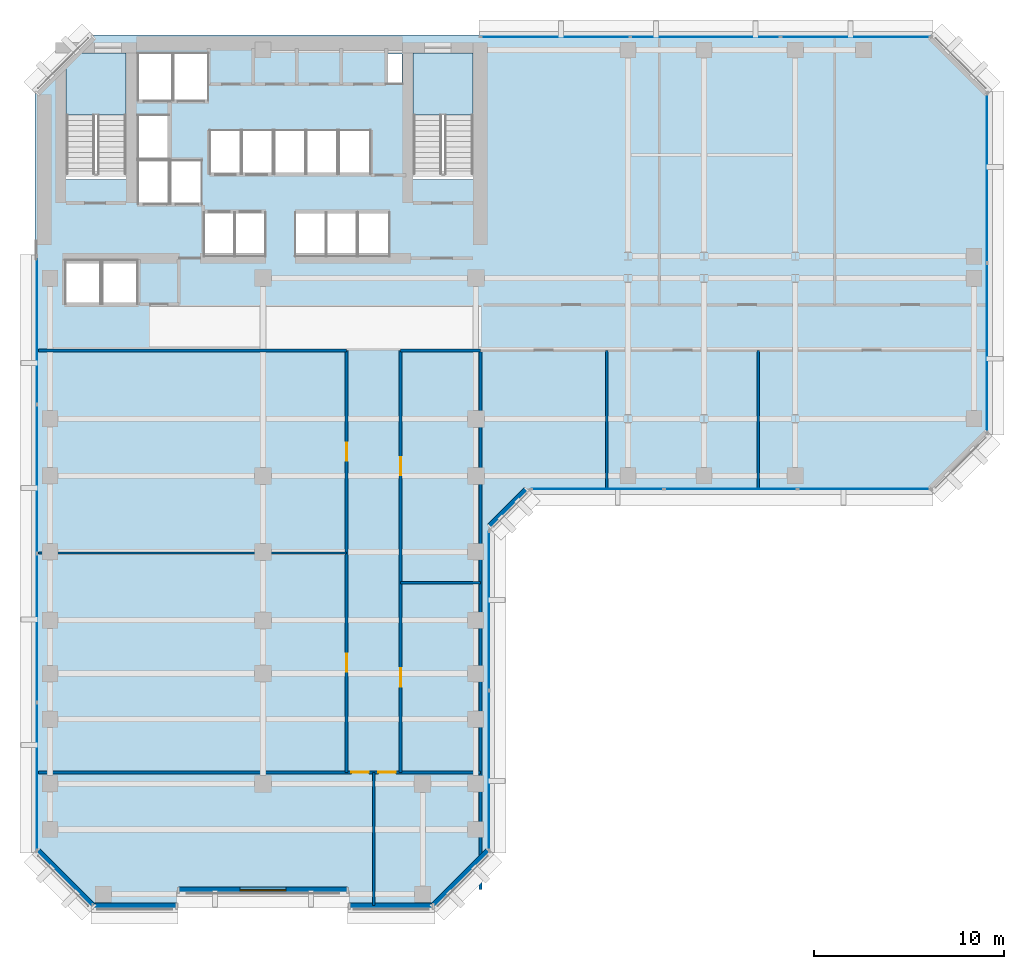
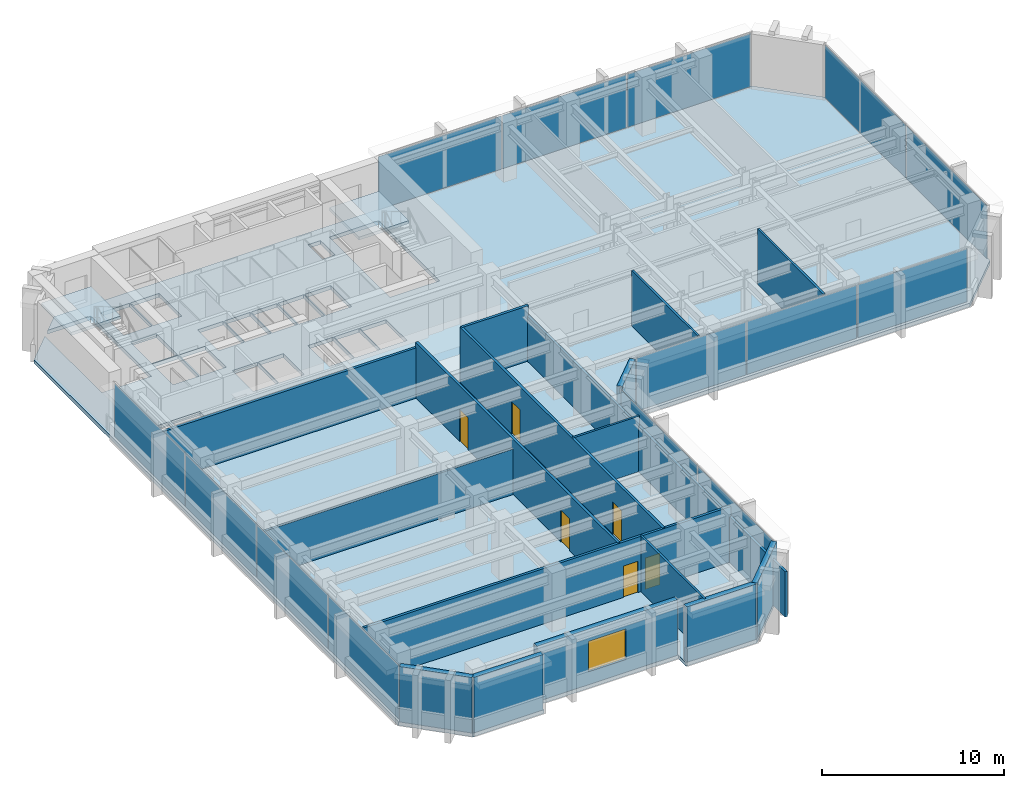
# One storey, part 6 of 12: 17 walls, 14 plates, 6 doors, 3 slabs, 1 window, 7 openings, 7 elements without a shape of their own.
"""IFC4 building model written with IfcOpenShell, lengths in metres."""

import ifcopenshell
import ifcopenshell.guid

model = None  # the IFC model being written
_history = None  # IfcOwnerHistory: only IFC2X3 demands one
_inside = {}  # id of a spatial element -> (the spatial element, [elements in it])
_under = {}  # id of a project, library or spatial element -> (it, [spatial elements below it])
_declared = {}  # id of a project -> (the project, [libraries it declares])
_typed = {}  # id of a type object -> (the type object, [elements of that type])
_made_of = {}  # id of a material, layer set ... -> (it, [elements and type objects made of it])


def new_model(schema):
    """Start an empty IFC model of exactly this schema.

    Asked for "IFC4X3", IfcOpenShell would pick the latest addendum, in which some entities
    have other attributes; the version numbers below select the first issue.
    IFC2X3 requires an IfcOwnerHistory on every rooted entity: one is made here for all.
    """
    global model, _history
    if schema == "IFC4X3":
        model = ifcopenshell.file(schema_version=(4, 3, 0, 0))
    else:
        model = ifcopenshell.file(schema=schema)
    _inside.clear()
    _under.clear()
    _declared.clear()
    _typed.clear()
    _made_of.clear()
    _history = None
    if model.schema == "IFC2X3":
        org = make("IfcOrganization", Name="unknown")
        user = make(
            "IfcPersonAndOrganization",
            ThePerson=make("IfcPerson", FamilyName="unknown"),
            TheOrganization=org,
        )
        app = make(
            "IfcApplication",
            ApplicationDeveloper=org,
            Version="unknown",
            ApplicationFullName="unknown",
            ApplicationIdentifier="unknown",
        )
        _history = make(
            "IfcOwnerHistory",
            OwningUser=user,
            OwningApplication=app,
            ChangeAction="ADDED",
            CreationDate=0,
        )
    return model


def make(cls, **values):
    """One entity of the class cls with the attributes given. An attribute that is None is left unset."""
    return model.create_entity(
        cls, **{name: value for name, value in values.items() if value is not None}
    )


def rooted(cls, **values):
    """An entity with a GlobalId (a new one), such as an element, a storey or a relation."""
    return make(cls, GlobalId=ifcopenshell.guid.new(), OwnerHistory=_history, **values)


def si_unit(unit_type, name, prefix=None):
    """IfcSIUnit, for example si_unit("LENGTHUNIT", "METRE", prefix="MILLI")."""
    return make("IfcSIUnit", UnitType=unit_type, Prefix=prefix, Name=name)


def assignment(units):
    """IfcUnitAssignment: the units of a project."""
    return None if units is None else make("IfcUnitAssignment", Units=units)


def point(xyz):
    """IfcCartesianPoint."""
    return None if xyz is None else make("IfcCartesianPoint", Coordinates=xyz)


def direction(xyz):
    """IfcDirection."""
    return None if xyz is None else make("IfcDirection", DirectionRatios=xyz)


def frame(location, z_axis=None, x_axis=None):
    """IfcAxis2Placement3D, a coordinate frame: its origin and axes. An axis left out is left unset."""
    return make(
        "IfcAxis2Placement3D",
        Location=point(location),
        Axis=direction(z_axis),
        RefDirection=direction(x_axis),
    )


def frame_2d(location, x_axis=None):
    """IfcAxis2Placement2D, a coordinate frame in the plane: its origin and x axis."""
    return make(
        "IfcAxis2Placement2D", Location=point(location), RefDirection=direction(x_axis)
    )


def origin():
    """The frame at (0, 0, 0) with its axes left unset."""
    return frame((0.0, 0.0, 0.0))


def origin_2d():
    """The frame at (0, 0) in the plane with its x axis left unset."""
    return frame_2d((0.0, 0.0))


def place(relative_to, where):
    """IfcLocalPlacement: puts the frame where relative to a parent placement (None: the world)."""
    return make(
        "IfcLocalPlacement", PlacementRelTo=relative_to, RelativePlacement=where
    )


def context(
    kind, dimensions, precision=None, world=None, true_north=None, identifier=None
):
    """IfcGeometricRepresentationContext, for example the 3D "Model" context."""
    return make(
        "IfcGeometricRepresentationContext",
        ContextIdentifier=identifier,
        ContextType=kind,
        CoordinateSpaceDimension=dimensions,
        Precision=precision,
        WorldCoordinateSystem=world,
        TrueNorth=true_north,
    )


def subcontext(parent, identifier, kind, view, scale=None):
    """IfcGeometricRepresentationSubContext, for example "Body" below "Model"."""
    return make(
        "IfcGeometricRepresentationSubContext",
        ContextIdentifier=identifier,
        ContextType=kind,
        ParentContext=parent,
        TargetScale=scale,
        TargetView=view,
    )


def project(units=None, contexts=None):
    """IfcProject with its units and contexts."""
    return rooted(
        "IfcProject",
        Name="project",
        RepresentationContexts=contexts,
        UnitsInContext=assignment(units),
    )


def spatial(cls, under=None, at=None, **own):
    """A site, building, storey or space (cls), placed at a placement, below another one or the project."""
    s = rooted(cls, ObjectPlacement=at, **own)
    if under is not None:
        _under.setdefault(under.id(), (under, []))[1].append(s)
    return s


def polyline(points):
    """IfcPolyline through the points."""
    return make("IfcPolyline", Points=[point(p) for p in points])


def profile(cls, at=None, kind="AREA", **sizes):
    """A parametric profile (cls). Its sizes go by their IFC names, for example OverallWidth=200.0."""
    return make(cls, ProfileType=kind, Position=at, **sizes)


def rectangle(**sizes):
    """IfcRectangleProfileDef."""
    return profile("IfcRectangleProfileDef", **sizes)


def outline(outer, holes=None, kind="AREA"):
    """IfcArbitraryClosedProfileDef: a profile drawn as a closed curve; with holes, ...WithVoids."""
    if holes is None:
        return make("IfcArbitraryClosedProfileDef", ProfileType=kind, OuterCurve=outer)
    return make(
        "IfcArbitraryProfileDefWithVoids",
        ProfileType=kind,
        OuterCurve=outer,
        InnerCurves=holes,
    )


def extrude(swept, where, along, depth):
    """IfcExtrudedAreaSolid: the profile swept, set in the frame where, extruded along a direction by depth."""
    return make(
        "IfcExtrudedAreaSolid",
        SweptArea=swept,
        Position=where,
        ExtrudedDirection=direction(along),
        Depth=depth,
    )


def shape(context_of_items, identifier, shape_type, items):
    """IfcShapeRepresentation: the items that make up one representation, for example the "Body"."""
    return make(
        "IfcShapeRepresentation",
        ContextOfItems=context_of_items,
        RepresentationIdentifier=identifier,
        RepresentationType=shape_type,
        Items=items,
    )


def material(Name=None, Category=None):
    """IfcMaterial."""
    return make("IfcMaterial", Name=Name, Category=Category)


def layer(
    of_material, thickness, ventilated=None, Name=None, Category=None, Priority=None
):
    """IfcMaterialLayer: one layer of a wall or slab, of a material (None: an air gap)."""
    return make(
        "IfcMaterialLayer",
        Material=of_material,
        LayerThickness=thickness,
        IsVentilated=ventilated,
        Name=Name,
        Category=Category,
        Priority=Priority,
    )


def layer_set(layers, Name=None):
    """IfcMaterialLayerSet."""
    return make("IfcMaterialLayerSet", MaterialLayers=layers, LayerSetName=Name)


def made_of(thing, what):
    """Note that an element or type object is made of a material, layer set ...; save() writes the relation."""
    if what is not None:
        _made_of.setdefault(what.id(), (what, []))[1].append(thing)
    return thing


def type_object(cls, material=None, **own):
    """A type object (cls), such as IfcWallType, which elements share."""
    return made_of(rooted(cls, **own), material)


def element(
    cls,
    number,
    at=None,
    inside=None,
    cuts=None,
    type_object=None,
    material=None,
    context=None,
    identifier="Body",
    shape_type=None,
    held_by="IfcProductDefinitionShape",
    body=None,
    shapes=None,
    **own,
):
    """One element of the class cls, such as IfcWall. Its Tag is "e" and its number.

    at: its placement. inside: the storey or other place that contains it. cuts: it is an
    opening in that element (IfcRelVoidsElement). A single representation is given by context,
    identifier, shape_type and body (its items); several are given by shapes. held_by: the class
    of the entity that holds the representations. save() writes the other relations.
    """
    e = rooted(cls, Tag="e%d" % number, ObjectPlacement=at, **own)
    if body is not None:
        shapes = [shape(context, identifier, shape_type, body)]
    if shapes is not None:
        e.Representation = make(held_by, Representations=shapes)
    if inside is not None:
        _inside.setdefault(inside.id(), (inside, []))[1].append(e)
    if cuts is not None:
        rooted(
            "IfcRelVoidsElement", RelatingBuildingElement=cuts, RelatedOpeningElement=e
        )
    if type_object is not None:
        _typed.setdefault(type_object.id(), (type_object, []))[1].append(e)
    return made_of(e, material)


def fill(opening, filler):
    """IfcRelFillsElement: the door or window that sits in an opening."""
    return rooted(
        "IfcRelFillsElement",
        RelatingOpeningElement=opening,
        RelatedBuildingElement=filler,
    )


def aggregate(whole, parts):
    """IfcRelAggregates: a whole, such as a stair, and the parts it consists of."""
    return rooted("IfcRelAggregates", RelatingObject=whole, RelatedObjects=parts)


def save(model, path):
    """Write the relations noted so far, then the file.

    IfcRelAggregates (storeys below a building ...), IfcRelContainedInSpatialStructure (elements
    in a storey), IfcRelDefinesByType, IfcRelAssociatesMaterial and IfcRelDeclares: one each for
    every whole, place, type object, material and project.
    """
    for whole, parts in _under.values():
        aggregate(whole, parts)
    for where, things in _inside.values():
        rooted(
            "IfcRelContainedInSpatialStructure",
            RelatedElements=things,
            RelatingStructure=where,
        )
    for kind, things in _typed.values():
        rooted("IfcRelDefinesByType", RelatedObjects=things, RelatingType=kind)
    for what, things in _made_of.values():
        rooted("IfcRelAssociatesMaterial", RelatedObjects=things, RelatingMaterial=what)
    for by, libraries in _declared.values():
        rooted("IfcRelDeclares", RelatingContext=by, RelatedDefinitions=libraries)
    model.write(path)


model = new_model("IFC4")

# Units and contexts
model_context = context("Model", 3, precision=1e-05, world=origin(), true_north=direction((0.0, 1.0)))
body_context = subcontext(model_context, "Body", "Model", "MODEL_VIEW")
ifc_project = project(units=[si_unit("LENGTHUNIT", "METRE"), si_unit("AREAUNIT", "SQUARE_METRE"), si_unit("VOLUMEUNIT", "CUBIC_METRE"), si_unit("PLANEANGLEUNIT", "RADIAN"), si_unit("MASSUNIT", "GRAM", prefix="KILO")], contexts=[model_context])

# Site, building, storey
site_placement = place(None, origin())
site = spatial("IfcSite", under=ifc_project, at=site_placement, CompositionType="ELEMENT")
building_placement = place(site_placement, origin())
building = spatial("IfcBuilding", under=site, at=building_placement, Name="Kefirva Bronze Tower", CompositionType="ELEMENT")
storey_placement = place(building_placement, frame((0.0, 0.0, 118.469970703125)))
storey = spatial("IfcBuildingStorey", under=building, at=storey_placement, Name="L28", CompositionType="ELEMENT", Elevation=118.469970703125)

# Stair, slab
ifc_material_1 = material(Name="Concrete C40/50", Category="concrete")
stair_type = type_object("IfcStairType", Name="RC Dogleg Protected Stair 24R", PredefinedType="HALF_TURN_STAIR", material=ifc_material_1)
stair_1_placement = place(storey_placement, origin())
stair_1 = element("IfcStair", 1, at=stair_1_placement, inside=storey, type_object=stair_type, Name="L28 Protected Exit Stair 1", PredefinedType="HALF_TURN_STAIR")
ifc_layer_1 = layer(ifc_material_1, 0.199951171875, Name="Concrete C40/50")
ifc_layer_set_1 = layer_set([ifc_layer_1], Name="Concrete C40/50")
slab_type_1 = type_object("IfcSlabType", Name="RC Stair Landing Slab 200mm", PredefinedType="LANDING", material=ifc_layer_set_1)
slab_1_placement = place(storey_placement, frame((0.0, 0.0, 1.780029296875)))
slab_1 = element("IfcSlab", 2, at=slab_1_placement, type_object=slab_type_1, Name="ST-1 landing 1", PredefinedType="LANDING", context=body_context, shape_type="SweptSolid", body=[
    extrude(outline(polyline([(4.800048828125, 41.780029296875), (4.800048828125, 45.050048828125), (1.64990234375, 45.050048828125), (1.64990234375, 41.780029296875), (4.800048828125, 41.780029296875)])), origin(), (0.0, 0.0, 1.0), 0.199951171875),
])
aggregate(stair_1, [slab_1])

stair_2_placement = place(storey_placement, origin())
stair_2 = element("IfcStair", 3, at=stair_2_placement, inside=storey, type_object=stair_type, Name="L28 Protected Exit Stair 2", PredefinedType="HALF_TURN_STAIR")
slab_2_placement = place(storey_placement, frame((0.0, 0.0, 1.780029296875)))
slab_2 = element("IfcSlab", 4, at=slab_2_placement, type_object=slab_type_1, Name="ST-2 landing 1", PredefinedType="LANDING", context=body_context, shape_type="SweptSolid", body=[
    extrude(outline(polyline([(23.050048828125, 41.780029296875), (23.050048828125, 45.050048828125), (19.89990234375, 45.050048828125), (19.89990234375, 41.780029296875), (23.050048828125, 41.780029296875)])), origin(), (0.0, 0.0, 1.0), 0.199951171875),
])
aggregate(stair_2, [slab_2])

# Slab
ifc_layer_2 = layer(ifc_material_1, 0.25, Name="Concrete C40/50")
ifc_layer_set_2 = layer_set([ifc_layer_2], Name="Concrete C40/50")
slab_type_2 = type_object("IfcSlabType", Name="RC Tower Floor Slab 250mm", PredefinedType="FLOOR", material=ifc_layer_set_2)
slab_3_placement = place(storey_placement, frame((0.0, 0.0, -0.25)))
element("IfcSlab", 5, at=slab_3_placement, inside=storey, type_object=slab_type_2, Name="L28 Structural Floor Slab", PredefinedType="FLOOR", context=body_context, shape_type="SweptSolid", body=[
    extrude(outline(polyline([(0.0, 3.0), (0.0, 43.0), (1.64990234375, 44.64990234375), (1.64990234375, 38.39990234375), (4.800048828125, 38.39990234375), (4.800048828125, 45.050048828125), (2.050048828125, 45.050048828125), (3.0, 46.0), (47.199951171875, 46.0), (50.199951171875, 43.0), (50.199951171875, 25.0), (47.199951171875, 22.0), (26.0, 22.0), (24.0, 20.0), (24.0, 3.0), (21.0, 0.0), (16.5, 0.0), (16.5, 0.85009765625), (7.5, 0.85009765625), (7.5, 0.0), (3.0, 0.0), (0.0, 3.0)]), holes=[polyline([(19.89990234375, 38.39990234375), (23.050048828125, 38.39990234375), (23.050048828125, 45.050048828125), (19.89990234375, 45.050048828125), (19.89990234375, 38.39990234375)]), polyline([(18.52001953125, 43.419921875), (19.320068359375, 43.419921875), (19.320068359375, 45.0), (18.52001953125, 45.0), (18.52001953125, 43.419921875)]), polyline([(17.0, 34.35009765625), (18.64990234375, 34.35009765625), (18.64990234375, 36.64990234375), (17.0, 36.64990234375), (17.0, 34.35009765625)]), polyline([(17.64990234375, 38.679931640625), (17.64990234375, 40.97998046875), (16.0, 40.97998046875), (16.0, 38.679931640625), (17.64990234375, 38.679931640625)]), polyline([(16.949951171875, 34.35009765625), (16.949951171875, 36.64990234375), (15.35009765625, 36.64990234375), (15.35009765625, 34.35009765625), (16.949951171875, 34.35009765625)]), polyline([(15.929931640625, 38.679931640625), (15.929931640625, 40.97998046875), (14.300048828125, 40.97998046875), (14.300048828125, 38.679931640625), (15.929931640625, 38.679931640625)]), polyline([(15.300048828125, 34.35009765625), (15.300048828125, 36.64990234375), (13.699951171875, 36.64990234375), (13.699951171875, 34.35009765625), (15.300048828125, 34.35009765625)]), polyline([(14.22998046875, 38.679931640625), (14.22998046875, 40.97998046875), (12.60009765625, 40.97998046875), (12.60009765625, 38.679931640625), (14.22998046875, 38.679931640625)]), polyline([(10.89990234375, 38.679931640625), (12.530029296875, 38.679931640625), (12.530029296875, 40.97998046875), (10.89990234375, 40.97998046875), (10.89990234375, 38.679931640625)]), polyline([(12.139892578125, 34.35009765625), (12.139892578125, 36.64990234375), (10.5400390625, 36.64990234375), (10.5400390625, 34.35009765625), (12.139892578125, 34.35009765625)]), polyline([(10.830078125, 38.679931640625), (10.830078125, 40.97998046875), (9.199951171875, 40.97998046875), (9.199951171875, 38.679931640625), (10.830078125, 38.679931640625)]), polyline([(10.5, 34.35009765625), (10.5, 36.64990234375), (8.89990234375, 36.64990234375), (8.89990234375, 34.35009765625), (10.5, 34.35009765625)]), polyline([(7.300048828125, 42.550048828125), (9.1201171875, 42.550048828125), (9.1201171875, 45.050048828125), (7.300048828125, 45.050048828125), (7.300048828125, 42.550048828125)]), polyline([(7.139892578125, 37.10009765625), (8.780029296875, 37.10009765625), (8.780029296875, 39.39990234375), (7.139892578125, 39.39990234375), (7.139892578125, 37.10009765625)]), polyline([(5.419921875, 42.550048828125), (7.239990234375, 42.550048828125), (7.239990234375, 45.050048828125), (5.419921875, 45.050048828125), (5.419921875, 42.550048828125)]), polyline([(7.06005859375, 39.47998046875), (7.06005859375, 41.780029296875), (5.419921875, 41.780029296875), (5.419921875, 39.47998046875), (7.06005859375, 39.47998046875)]), polyline([(5.419921875, 37.10009765625), (7.06005859375, 37.10009765625), (7.06005859375, 39.39990234375), (5.419921875, 39.39990234375), (5.419921875, 37.10009765625)]), polyline([(5.39990234375, 31.85009765625), (5.39990234375, 34.14990234375), (3.550048828125, 34.14990234375), (3.550048828125, 31.85009765625), (5.39990234375, 31.85009765625)]), polyline([(3.449951171875, 31.85009765625), (3.449951171875, 34.14990234375), (1.60009765625, 34.14990234375), (1.60009765625, 31.85009765625), (3.449951171875, 31.85009765625)])]), origin(), (0.0, 0.0, 1.0), 0.25),
])

# Curtain wall, plates
ifc_material_2 = material(Name="Bronze anodised aluminium", Category="aluminium")
ifc_layer_3 = layer(ifc_material_2, 0.199951171875, Name="Bronze anodised aluminium")
ifc_layer_set_3 = layer_set([ifc_layer_3], Name="Bronze anodised aluminium")
curtain_wall_type = type_object("IfcCurtainWallType", Name="Unitised Bronze Ribbon Curtain Wall Zone 2", PredefinedType="USERDEFINED", material=ifc_layer_set_3)
curtain_wall_1_placement = place(storey_placement, origin())
curtain_wall_1 = element("IfcCurtainWall", 6, at=curtain_wall_1_placement, inside=storey, type_object=curtain_wall_type, Name="L28 Curtain Wall 1", ObjectType="UNITISED CURTAIN WALL", PredefinedType="USERDEFINED")
ifc_material_3 = material(Name="Laminated low-E double glazing", Category="glass")
ifc_layer_4 = layer(ifc_material_3, 0.031982421875, Name="Laminated low-E double glazing")
ifc_layer_set_4 = layer_set([ifc_layer_4], Name="Laminated low-E double glazing")
plate_type = type_object("IfcPlateType", Name="Solar-Control Low-E Vision Panel 32mm", PredefinedType="CURTAIN_PANEL", material=ifc_layer_set_4)
plate_1_placement = place(storey_placement, frame((23.8798828125, 7.296142578125, 0.074951171875), z_axis=(0.0, 0.0, 1.0), x_axis=(0.0, 1.0, 0.0)))
plate_1 = element("IfcPlate", 7, at=plate_1_placement, type_object=plate_type, Name="CW-02 panel 1.1", PredefinedType="CURTAIN_PANEL", context=body_context, shape_type="SweptSolid", body=[
    extrude(rectangle(XDim=8.33251953125, YDim=0.031982421875, at=origin_2d()), origin(), (0.0, 0.0, 1.0), 3.56005859375),
])
plate_2_placement = place(storey_placement, frame((23.8798828125, 15.703857421875, 0.074951171875), z_axis=(0.0, 0.0, 1.0), x_axis=(0.0, 1.0, 0.0)))
plate_2 = element("IfcPlate", 8, at=plate_2_placement, type_object=plate_type, Name="CW-02 panel 2.1", PredefinedType="CURTAIN_PANEL", context=body_context, shape_type="SweptSolid", body=[
    extrude(rectangle(XDim=8.33251953125, YDim=0.031982421875, at=origin_2d()), origin(), (0.0, 0.0, 1.0), 3.56005859375),
])
aggregate(curtain_wall_1, [plate_1, plate_2])

curtain_wall_2_placement = place(storey_placement, origin())
curtain_wall_2 = element("IfcCurtainWall", 9, at=curtain_wall_2_placement, inside=storey, type_object=curtain_wall_type, Name="L28 Curtain Wall 2", ObjectType="UNITISED CURTAIN WALL", PredefinedType="USERDEFINED")
plate_3_placement = place(storey_placement, frame((29.5888671875, 22.1201171875, 0.074951171875), z_axis=(0.0, 0.0, 1.0), x_axis=(1.0, 0.0, 0.0)))
plate_3 = element("IfcPlate", 10, at=plate_3_placement, type_object=plate_type, Name="CW-02 panel 1.1", PredefinedType="CURTAIN_PANEL", context=body_context, shape_type="SweptSolid", body=[
    extrude(rectangle(XDim=6.91748046875, YDim=0.031982421875, at=origin_2d()), origin(), (0.0, 0.0, 1.0), 3.56005859375),
])
plate_4_placement = place(storey_placement, frame((36.60009765625, 22.1201171875, 0.074951171875), z_axis=(0.0, 0.0, 1.0), x_axis=(1.0, 0.0, 0.0)))
plate_4 = element("IfcPlate", 11, at=plate_4_placement, type_object=plate_type, Name="CW-02 panel 2.1", PredefinedType="CURTAIN_PANEL", context=body_context, shape_type="SweptSolid", body=[
    extrude(rectangle(XDim=6.955078125, YDim=0.031982421875, at=origin_2d()), origin(), (0.0, 0.0, 1.0), 3.56005859375),
])
plate_5_placement = place(storey_placement, frame((43.611328125, 22.1201171875, 0.074951171875), z_axis=(0.0, 0.0, 1.0), x_axis=(1.0, 0.0, 0.0)))
plate_5 = element("IfcPlate", 12, at=plate_5_placement, type_object=plate_type, Name="CW-02 panel 3.1", PredefinedType="CURTAIN_PANEL", context=body_context, shape_type="SweptSolid", body=[
    extrude(rectangle(XDim=6.91748046875, YDim=0.031982421875, at=origin_2d()), origin(), (0.0, 0.0, 1.0), 3.56005859375),
])
aggregate(curtain_wall_2, [plate_3, plate_4, plate_5])

curtain_wall_3_placement = place(storey_placement, origin())
curtain_wall_3 = element("IfcCurtainWall", 13, at=curtain_wall_3_placement, inside=storey, type_object=curtain_wall_type, Name="L28 Curtain Wall 3", ObjectType="UNITISED CURTAIN WALL", PredefinedType="USERDEFINED")
plate_6_placement = place(storey_placement, frame((50.080078125, 29.546142578125, 0.074951171875), z_axis=(0.0, 0.0, 1.0), x_axis=(0.0, 1.0, 0.0)))
plate_6 = element("IfcPlate", 14, at=plate_6_placement, type_object=plate_type, Name="CW-02 panel 1.1", PredefinedType="CURTAIN_PANEL", context=body_context, shape_type="SweptSolid", body=[
    extrude(rectangle(XDim=8.83251953125, YDim=0.031982421875, at=origin_2d()), origin(), (0.0, 0.0, 1.0), 3.56005859375),
])
plate_7_placement = place(storey_placement, frame((50.080078125, 38.453857421875, 0.074951171875), z_axis=(0.0, 0.0, 1.0), x_axis=(0.0, 1.0, 0.0)))
plate_7 = element("IfcPlate", 15, at=plate_7_placement, type_object=plate_type, Name="CW-02 panel 2.1", PredefinedType="CURTAIN_PANEL", context=body_context, shape_type="SweptSolid", body=[
    extrude(rectangle(XDim=8.83251953125, YDim=0.031982421875, at=origin_2d()), origin(), (0.0, 0.0, 1.0), 3.56005859375),
])
aggregate(curtain_wall_3, [plate_6, plate_7])

curtain_wall_4_placement = place(storey_placement, origin())
curtain_wall_4 = element("IfcCurtainWall", 16, at=curtain_wall_4_placement, inside=storey, type_object=curtain_wall_type, Name="L28 Curtain Wall 4", ObjectType="UNITISED CURTAIN WALL", PredefinedType="USERDEFINED")
plate_8_placement = place(storey_placement, frame((43.169677734375, 45.8798828125, 0.074951171875), z_axis=(0.0, 0.0, 1.0), x_axis=(-1.0, 0.0, 0.0)))
plate_8 = element("IfcPlate", 17, at=plate_8_placement, type_object=plate_type, Name="CW-02 panel 1.1", PredefinedType="CURTAIN_PANEL", context=body_context, shape_type="SweptSolid", body=[
    extrude(rectangle(XDim=7.80078125, YDim=0.031982421875, at=origin_2d()), origin(), (0.0, 0.0, 1.0), 3.56005859375),
])
plate_9_placement = place(storey_placement, frame((35.27490234375, 45.8798828125, 0.074951171875), z_axis=(0.0, 0.0, 1.0), x_axis=(-1.0, 0.0, 0.0)))
plate_9 = element("IfcPlate", 18, at=plate_9_placement, type_object=plate_type, Name="CW-02 panel 2.1", PredefinedType="CURTAIN_PANEL", context=body_context, shape_type="SweptSolid", body=[
    extrude(rectangle(XDim=7.83837890625, YDim=0.031982421875, at=origin_2d()), origin(), (0.0, 0.0, 1.0), 3.56005859375),
])
plate_10_placement = place(storey_placement, frame((27.38037109375, 45.8798828125, 0.074951171875), z_axis=(0.0, 0.0, 1.0), x_axis=(-1.0, 0.0, 0.0)))
plate_10 = element("IfcPlate", 19, at=plate_10_placement, type_object=plate_type, Name="CW-02 panel 3.1", PredefinedType="CURTAIN_PANEL", context=body_context, shape_type="SweptSolid", body=[
    extrude(rectangle(XDim=7.80078125, YDim=0.031982421875, at=origin_2d()), origin(), (0.0, 0.0, 1.0), 3.56005859375),
])
aggregate(curtain_wall_4, [plate_8, plate_9, plate_10])

curtain_wall_5_placement = place(storey_placement, origin())
curtain_wall_5 = element("IfcCurtainWall", 20, at=curtain_wall_5_placement, inside=storey, type_object=curtain_wall_type, Name="L28 Curtain Wall 5", ObjectType="UNITISED CURTAIN WALL", PredefinedType="USERDEFINED")
plate_11_placement = place(storey_placement, frame((0.1201171875, 30.458740234375, 0.074951171875), z_axis=(0.0, 0.0, 1.0), x_axis=(0.0, -1.0, 0.0)))
plate_11 = element("IfcPlate", 21, at=plate_11_placement, type_object=plate_type, Name="CW-02 panel 1.1", PredefinedType="CURTAIN_PANEL", context=body_context, shape_type="SweptSolid", body=[
    extrude(rectangle(XDim=7.722412109375, YDim=0.031982421875, at=origin_2d()), origin(), (0.0, 0.0, 1.0), 3.56005859375),
])
plate_12_placement = place(storey_placement, frame((0.1201171875, 22.642578125, 0.074951171875), z_axis=(0.0, 0.0, 1.0), x_axis=(0.0, -1.0, 0.0)))
plate_12 = element("IfcPlate", 22, at=plate_12_placement, type_object=plate_type, Name="CW-02 panel 2.1", PredefinedType="CURTAIN_PANEL", context=body_context, shape_type="SweptSolid", body=[
    extrude(rectangle(XDim=7.760009765625, YDim=0.031982421875, at=origin_2d()), origin(), (0.0, 0.0, 1.0), 3.56005859375),
])
plate_13_placement = place(storey_placement, frame((0.1201171875, 14.8076171875, 0.074951171875), z_axis=(0.0, 0.0, 1.0), x_axis=(0.0, -1.0, 0.0)))
plate_13 = element("IfcPlate", 23, at=plate_13_placement, type_object=plate_type, Name="CW-02 panel 3.1", PredefinedType="CURTAIN_PANEL", context=body_context, shape_type="SweptSolid", body=[
    extrude(rectangle(XDim=7.760009765625, YDim=0.031982421875, at=origin_2d()), origin(), (0.0, 0.0, 1.0), 3.56005859375),
])
plate_14_placement = place(storey_placement, frame((0.1201171875, 6.9912109375, 0.074951171875), z_axis=(0.0, 0.0, 1.0), x_axis=(0.0, -1.0, 0.0)))
plate_14 = element("IfcPlate", 24, at=plate_14_placement, type_object=plate_type, Name="CW-02 panel 4.1", PredefinedType="CURTAIN_PANEL", context=body_context, shape_type="SweptSolid", body=[
    extrude(rectangle(XDim=7.722412109375, YDim=0.031982421875, at=origin_2d()), origin(), (0.0, 0.0, 1.0), 3.56005859375),
])
aggregate(curtain_wall_5, [plate_11, plate_12, plate_13, plate_14])

# Walls
ifc_material_4 = material(Name="Gypsum acoustic partition")
ifc_layer_5 = layer(ifc_material_4, 0.1298828125, Name="Gypsum acoustic partition")
ifc_layer_set_5 = layer_set([ifc_layer_5], Name="Gypsum acoustic partition")
wall_type_1 = type_object("IfcWallType", Name="Acoustic Office Partition 130mm", PredefinedType="PARTITIONING", material=ifc_layer_set_5)
wall_1_placement = place(storey_placement, frame((17.820068359375, 0.18994140625, 0.0), z_axis=(0.0, 0.0, 1.0), x_axis=(0.0, 1.0, 0.0)))
element("IfcWall", 25, at=wall_1_placement, inside=storey, type_object=wall_type_1, Name="L28 Partition W-L28-CAPDV", PredefinedType="PARTITIONING", context=body_context, shape_type="SweptSolid", body=[
    extrude(rectangle(XDim=7.010009765625, YDim=0.1298828125, at=frame_2d((3.5048828125, 0.0))), origin(), (0.0, 0.0, 1.0), 3.7099609375),
])
wall_2_placement = place(storey_placement, frame((0.18994140625, 18.743896484375, 0.0), z_axis=(0.0, 0.0, 1.0), x_axis=(1.0, 0.0, 0.0)))
element("IfcWall", 26, at=wall_2_placement, inside=storey, type_object=wall_type_1, Name="L28 Partition W-L28-SWD1", PredefinedType="PARTITIONING", context=body_context, shape_type="SweptSolid", body=[
    extrude(rectangle(XDim=16.2099609375, YDim=0.1298828125, at=frame_2d((8.10498046875, 0.0))), origin(), (0.0, 0.0, 1.0), 3.044921875),
])
wall_3_placement = place(storey_placement, frame((19.239990234375, 17.18994140625, 0.0), z_axis=(0.0, 0.0, 1.0), x_axis=(1.0, 0.0, 0.0)))
element("IfcWall", 27, at=wall_3_placement, inside=storey, type_object=wall_type_1, Name="L28 Partition W-L28-SED1", PredefinedType="PARTITIONING", context=body_context, shape_type="SweptSolid", body=[
    extrude(rectangle(XDim=4.2099609375, YDim=0.1298828125, at=frame_2d((2.10498046875, 0.0))), origin(), (0.0, 0.0, 1.0), 3.7099609375),
])
for number, where, z_axis, x_axis, name in (
    (28, (30.090087890625, 22.18994140625, 0.0), (0.0, 0.0, 1.0), (0.0, 1.0, 0.0), "L28 Partition W-L28-ESD1"),
    (29, (38.05810546875, 22.18994140625, 0.0), (0.0, 0.0, 1.0), (0.0, 1.0, 0.0), "L28 Partition W-L28-ESD2"),
):
    element("IfcWall", number, at=place(storey_placement, frame(where, z_axis=z_axis, x_axis=x_axis)), inside=storey, type_object=wall_type_1, Name=name, PredefinedType="PARTITIONING", context=body_context, shape_type="SweptSolid", body=[
        extrude(rectangle(XDim=7.2099609375, YDim=0.1298828125, at=frame_2d((3.60498046875, 0.0))), origin(), (0.0, 0.0, 1.0), 3.7099609375),
    ])
ifc_material_5 = material(Name="Precast concrete C40/50", Category="concrete")
ifc_layer_6 = layer(ifc_material_5, 0.320068359375, Name="Precast concrete C40/50")
ifc_layer_set_6 = layer_set([ifc_layer_6], Name="Precast concrete C40/50")
wall_type_2 = type_object("IfcWallType", Name="Precast Insulated Exterior Wall 320mm", PredefinedType="SOLIDWALL", material=ifc_layer_set_6)
wall_4_placement = place(storey_placement, frame((3.054931640625, 0.159912109375, 0.0), z_axis=(0.0, 0.0, 1.0), x_axis=(1.0, 0.0, 0.0)))
element("IfcWall", 30, at=wall_4_placement, inside=storey, type_object=wall_type_2, Name="L28 Exterior Facade Wall 1", PredefinedType="SOLIDWALL", context=body_context, shape_type="SweptSolid", body=[
    extrude(rectangle(XDim=4.39013671875, YDim=0.320068359375, at=frame_2d((2.195068359375, 0.0))), origin(), (0.0, 0.0, 1.0), 3.7099609375),
])

# Wall, opening, window
wall_5_placement = place(storey_placement, frame((7.554931640625, 1.010009765625, 0.0), z_axis=(0.0, 0.0, 1.0), x_axis=(1.0, 0.0, 0.0)))
wall_5 = element("IfcWall", 31, at=wall_5_placement, inside=storey, type_object=wall_type_2, Name="L28 Exterior Facade Wall 2", PredefinedType="SOLIDWALL", context=body_context, shape_type="SweptSolid", body=[
    extrude(rectangle(XDim=8.89013671875, YDim=0.320068359375, at=frame_2d((4.445068359375, 0.0))), origin(), (0.0, 0.0, 1.0), 3.7099609375),
])
opening_1_placement = place(wall_5_placement, frame((3.2451171875, 0.0, 0.85009765625)))
opening_1 = element("IfcOpeningElement", 32, at=opening_1_placement, cuts=wall_5, Name="Opening WN-01", PredefinedType="OPENING", context=body_context, shape_type="SweptSolid", body=[
    extrude(rectangle(XDim=2.39990234375, YDim=2.050048828125, at=frame_2d((1.199951171875, 1.02490234375))), frame((0.0, 0.169921875, 0.0), z_axis=(0.0, -1.0, 0.0), x_axis=(1.0, 0.0, 0.0)), (0.0, 0.0, 1.0), 0.340087890625),
])
window_type = type_object("IfcWindowType", Name="Streamline Ribbon Window 2400x2050", PartitioningType="SINGLE_PANEL", PredefinedType="WINDOW", material=ifc_material_3)
window_placement = place(opening_1_placement, origin())
window = element("IfcWindow", 33, at=window_placement, inside=storey, type_object=window_type, Name="L28 Ribbon Window 2", OverallHeight=2.050048828125, OverallWidth=2.39990234375, PartitioningType="SINGLE_PANEL", PredefinedType="WINDOW", context=body_context, shape_type="SweptSolid", body=[
    extrude(rectangle(XDim=2.39990234375, YDim=2.050048828125, at=frame_2d((1.199951171875, 1.02490234375))), frame((0.0, 0.030029296875, 0.0), z_axis=(0.0, -1.0, 0.0), x_axis=(1.0, 0.0, 0.0)), (0.0, 0.0, 1.0), 0.06005859375),
])
fill(opening_1, window)

# Walls
wall_6_placement = place(storey_placement, frame((16.554931640625, 0.159912109375, 0.0), z_axis=(0.0, 0.0, 1.0), x_axis=(1.0, 0.0, 0.0)))
element("IfcWall", 34, at=wall_6_placement, inside=storey, type_object=wall_type_2, Name="L28 Exterior Facade Wall 3", PredefinedType="SOLIDWALL", context=body_context, shape_type="SweptSolid", body=[
    extrude(rectangle(XDim=4.39013671875, YDim=0.320068359375, at=frame_2d((2.195068359375, 0.0))), origin(), (0.0, 0.0, 1.0), 3.7099609375),
])
wall_7_placement = place(storey_placement, frame((20.92578125, 0.152099609375, 0.0), z_axis=(0.0, 0.0, 1.0), x_axis=(0.707106781187, 0.707106781187, 0.0)))
element("IfcWall", 35, at=wall_7_placement, inside=storey, type_object=wall_type_2, Name="L28 Exterior Facade Wall 4", PredefinedType="SOLIDWALL", context=body_context, shape_type="SweptSolid", body=[
    extrude(rectangle(XDim=4.132568359375, YDim=0.320068359375, at=frame_2d((2.06640625, 0.0))), origin(), (0.0, 0.0, 1.0), 3.7099609375),
])
wall_8_placement = place(storey_placement, frame((23.92578125, 20.152099609375, 0.0), z_axis=(0.0, 0.0, 1.0), x_axis=(0.707106781187, 0.707106781187, 0.0)))
element("IfcWall", 36, at=wall_8_placement, inside=storey, type_object=wall_type_2, Name="L28 Exterior Facade Wall 5", PredefinedType="SOLIDWALL", context=body_context, shape_type="SweptSolid", body=[
    extrude(rectangle(XDim=2.71826171875, YDim=0.320068359375, at=frame_2d((1.359130859375, 0.0))), origin(), (0.0, 0.0, 1.0), 3.7099609375),
])
wall_9_placement = place(storey_placement, frame((0.152099609375, 3.07421875, 0.0), z_axis=(0.0, 0.0, 1.0), x_axis=(0.707106781187, -0.707106781187, 0.0)))
element("IfcWall", 37, at=wall_9_placement, inside=storey, type_object=wall_type_2, Name="L28 Exterior Facade Wall 9", PredefinedType="SOLIDWALL", context=body_context, shape_type="SweptSolid", body=[
    extrude(rectangle(XDim=4.132568359375, YDim=0.320068359375, at=frame_2d((2.06640625, 0.0))), origin(), (0.0, 0.0, 1.0), 3.7099609375),
])

# Wall, openings, doors
ifc_layer_7 = layer(ifc_material_4, 0.159912109375, Name="Gypsum acoustic partition")
ifc_layer_set_7 = layer_set([ifc_layer_7], Name="Gypsum acoustic partition")
wall_type_3 = type_object("IfcWallType", Name="Protected Corridor Partition 160mm", PredefinedType="PARTITIONING", material=ifc_layer_set_7)
wall_10_placement = place(storey_placement, frame((16.39990234375, 7.199951171875, 0.0), z_axis=(0.0, 0.0, 1.0), x_axis=(0.0, 1.0, 0.0)))
wall_10 = element("IfcWall", 38, at=wall_10_placement, inside=storey, type_object=wall_type_3, Name="L28 Partition W-L28-SWCORW", PredefinedType="PARTITIONING", context=body_context, shape_type="SweptSolid", body=[
    extrude(rectangle(XDim=22.199951171875, YDim=0.159912109375, at=frame_2d((11.10009765625, 0.0))), origin(), (0.0, 0.0, 1.0), 3.7099609375),
])
opening_2_placement = place(wall_10_placement, frame((6.2470703125, 0.0, 0.0), z_axis=(0.0, 0.0, 1.0), x_axis=(-1.0, 0.0, 0.0)))
opening_2 = element("IfcOpeningElement", 39, at=opening_2_placement, cuts=wall_10, Name="Opening L28-D-SW1", PredefinedType="OPENING", context=body_context, shape_type="SweptSolid", body=[
    extrude(rectangle(XDim=0.949951171875, YDim=2.14990234375, at=frame_2d((0.47509765625, 1.074951171875))), frame((0.0, 0.08984375, 0.0), z_axis=(0.0, -1.0, 0.0), x_axis=(1.0, 0.0, 0.0)), (0.0, 0.0, 1.0), 0.179931640625),
])
opening_3_placement = place(wall_10_placement, frame((17.346923828125, 0.0, 0.0), z_axis=(0.0, 0.0, 1.0), x_axis=(-1.0, 0.0, 0.0)))
opening_3 = element("IfcOpeningElement", 40, at=opening_3_placement, cuts=wall_10, Name="Opening L28-D-SW2", PredefinedType="OPENING", context=body_context, shape_type="SweptSolid", body=[
    extrude(rectangle(XDim=0.949951171875, YDim=2.14990234375, at=frame_2d((0.47509765625, 1.074951171875))), frame((0.0, 0.08984375, 0.0), z_axis=(0.0, -1.0, 0.0), x_axis=(1.0, 0.0, 0.0)), (0.0, 0.0, 1.0), 0.179931640625),
])
ifc_material_6 = material(Name="Acoustic hardwood oak", Category="wood")
door_type_1 = type_object("IfcDoorType", Name="Office & Meeting Room Door 950x2150", OperationType="NOTDEFINED", PredefinedType="DOOR", material=ifc_material_6)
door_1_placement = place(opening_2_placement, origin())
door_1 = element("IfcDoor", 41, at=door_1_placement, inside=storey, type_object=door_type_1, Name="Door L28-D-SW1", OperationType="SINGLE_SWING_RIGHT", OverallHeight=2.14990234375, OverallWidth=0.949951171875, PredefinedType="DOOR", context=body_context, shape_type="SweptSolid", body=[
    extrude(rectangle(XDim=0.949951171875, YDim=2.14990234375, at=frame_2d((0.47509765625, 1.074951171875))), frame((0.0, 0.02490234375, 0.0), z_axis=(0.0, -1.0, 0.0), x_axis=(1.0, 0.0, 0.0)), (0.0, 0.0, 1.0), 0.050048828125),
])
fill(opening_2, door_1)
door_2_placement = place(opening_3_placement, origin())
door_2 = element("IfcDoor", 42, at=door_2_placement, inside=storey, type_object=door_type_1, Name="Door L28-D-SW2", OperationType="SINGLE_SWING_LEFT", OverallHeight=2.14990234375, OverallWidth=0.949951171875, PredefinedType="DOOR", context=body_context, shape_type="SweptSolid", body=[
    extrude(rectangle(XDim=0.949951171875, YDim=2.14990234375, at=frame_2d((0.47509765625, 1.074951171875))), frame((0.0, 0.02490234375, 0.0), z_axis=(0.0, -1.0, 0.0), x_axis=(1.0, 0.0, 0.0)), (0.0, 0.0, 1.0), 0.050048828125),
])
fill(opening_3, door_2)

wall_11_placement = place(storey_placement, frame((19.239990234375, 7.199951171875, 0.0), z_axis=(0.0, 0.0, 1.0), x_axis=(0.0, 1.0, 0.0)))
wall_11 = element("IfcWall", 43, at=wall_11_placement, inside=storey, type_object=wall_type_3, Name="L28 Partition W-L28-SECORE", PredefinedType="PARTITIONING", context=body_context, shape_type="SweptSolid", body=[
    extrude(rectangle(XDim=22.199951171875, YDim=0.159912109375, at=frame_2d((11.10009765625, 0.0))), origin(), (0.0, 0.0, 1.0), 3.7099609375),
])
opening_4_placement = place(wall_11_placement, frame((4.52001953125, 0.0, 0.0)))
opening_4 = element("IfcOpeningElement", 44, at=opening_4_placement, cuts=wall_11, Name="Opening L28-D-SE1", PredefinedType="OPENING", context=body_context, shape_type="SweptSolid", body=[
    extrude(rectangle(XDim=0.949951171875, YDim=2.14990234375, at=frame_2d((0.47509765625, 1.074951171875))), frame((0.0, 0.08984375, 0.0), z_axis=(0.0, -1.0, 0.0), x_axis=(1.0, 0.0, 0.0)), (0.0, 0.0, 1.0), 0.179931640625),
])
opening_5_placement = place(wall_11_placement, frame((15.6201171875, 0.0, 0.0)))
opening_5 = element("IfcOpeningElement", 45, at=opening_5_placement, cuts=wall_11, Name="Opening L28-D-SE2", PredefinedType="OPENING", context=body_context, shape_type="SweptSolid", body=[
    extrude(rectangle(XDim=0.949951171875, YDim=2.14990234375, at=frame_2d((0.47509765625, 1.074951171875))), frame((0.0, 0.08984375, 0.0), z_axis=(0.0, -1.0, 0.0), x_axis=(1.0, 0.0, 0.0)), (0.0, 0.0, 1.0), 0.179931640625),
])
door_3_placement = place(opening_4_placement, origin())
door_3 = element("IfcDoor", 46, at=door_3_placement, inside=storey, type_object=door_type_1, Name="Door L28-D-SE1", OperationType="SINGLE_SWING_RIGHT", OverallHeight=2.14990234375, OverallWidth=0.949951171875, PredefinedType="DOOR", context=body_context, shape_type="SweptSolid", body=[
    extrude(rectangle(XDim=0.949951171875, YDim=2.14990234375, at=frame_2d((0.47509765625, 1.074951171875))), frame((0.0, 0.02490234375, 0.0), z_axis=(0.0, -1.0, 0.0), x_axis=(1.0, 0.0, 0.0)), (0.0, 0.0, 1.0), 0.050048828125),
])
fill(opening_4, door_3)
door_4_placement = place(opening_5_placement, origin())
door_4 = element("IfcDoor", 47, at=door_4_placement, inside=storey, type_object=door_type_1, Name="Door L28-D-SE2", OperationType="SINGLE_SWING_LEFT", OverallHeight=2.14990234375, OverallWidth=0.949951171875, PredefinedType="DOOR", context=body_context, shape_type="SweptSolid", body=[
    extrude(rectangle(XDim=0.949951171875, YDim=2.14990234375, at=frame_2d((0.47509765625, 1.074951171875))), frame((0.0, 0.02490234375, 0.0), z_axis=(0.0, -1.0, 0.0), x_axis=(1.0, 0.0, 0.0)), (0.0, 0.0, 1.0), 0.050048828125),
])
fill(opening_5, door_4)

wall_12_placement = place(storey_placement, frame((0.18994140625, 7.199951171875, 0.0), z_axis=(0.0, 0.0, 1.0), x_axis=(1.0, 0.0, 0.0)))
wall_12 = element("IfcWall", 48, at=wall_12_placement, inside=storey, type_object=wall_type_3, Name="L28 Partition W-L28-SBEND", PredefinedType="PARTITIONING", context=body_context, shape_type="SweptSolid", body=[
    extrude(rectangle(XDim=23.260009765625, YDim=0.159912109375, at=frame_2d((11.6298828125, 0.0))), origin(), (0.0, 0.0, 1.0), 3.7099609375),
])
opening_6_placement = place(wall_12_placement, frame((16.4599609375, 0.0, 0.0)))
opening_6 = element("IfcOpeningElement", 49, at=opening_6_placement, cuts=wall_12, Name="Opening L28-D-SEND1", PredefinedType="OPENING", context=body_context, shape_type="SweptSolid", body=[
    extrude(rectangle(XDim=0.919921875, YDim=2.10009765625, at=frame_2d((0.4599609375, 1.050048828125))), frame((0.0, 0.08984375, 0.0), z_axis=(0.0, -1.0, 0.0), x_axis=(1.0, 0.0, 0.0)), (0.0, 0.0, 1.0), 0.179931640625),
])
opening_7_placement = place(wall_12_placement, frame((17.8798828125, 0.0, 0.0)))
opening_7 = element("IfcOpeningElement", 50, at=opening_7_placement, cuts=wall_12, Name="Opening L28-D-SEND2", PredefinedType="OPENING", context=body_context, shape_type="SweptSolid", body=[
    extrude(rectangle(XDim=0.919921875, YDim=2.10009765625, at=frame_2d((0.4599609375, 1.050048828125))), frame((0.0, 0.08984375, 0.0), z_axis=(0.0, -1.0, 0.0), x_axis=(1.0, 0.0, 0.0)), (0.0, 0.0, 1.0), 0.179931640625),
])
ifc_material_7 = material(Name="Moisture-resistant timber", Category="wood")
door_type_2 = type_object("IfcDoorType", Name="Accessible Sanitary & WC Door 920x2100", OperationType="NOTDEFINED", PredefinedType="DOOR", material=ifc_material_7)
door_5_placement = place(opening_6_placement, origin())
door_5 = element("IfcDoor", 51, at=door_5_placement, inside=storey, type_object=door_type_2, Name="Door L28-D-SEND1", OperationType="SINGLE_SWING_RIGHT", OverallHeight=2.10009765625, OverallWidth=0.919921875, PredefinedType="DOOR", context=body_context, shape_type="SweptSolid", body=[
    extrude(rectangle(XDim=0.919921875, YDim=2.10009765625, at=frame_2d((0.4599609375, 1.050048828125))), frame((0.0, 0.02490234375, 0.0), z_axis=(0.0, -1.0, 0.0), x_axis=(1.0, 0.0, 0.0)), (0.0, 0.0, 1.0), 0.050048828125),
])
fill(opening_6, door_5)
door_6_placement = place(opening_7_placement, origin())
door_6 = element("IfcDoor", 52, at=door_6_placement, inside=storey, type_object=door_type_2, Name="Door L28-D-SEND2", OperationType="SINGLE_SWING_LEFT", OverallHeight=2.10009765625, OverallWidth=0.919921875, PredefinedType="DOOR", context=body_context, shape_type="SweptSolid", body=[
    extrude(rectangle(XDim=0.919921875, YDim=2.10009765625, at=frame_2d((0.4599609375, 1.050048828125))), frame((0.0, 0.02490234375, 0.0), z_axis=(0.0, -1.0, 0.0), x_axis=(1.0, 0.0, 0.0)), (0.0, 0.0, 1.0), 0.050048828125),
])
fill(opening_7, door_6)

# Walls
wall_13_placement = place(storey_placement, frame((0.18994140625, 29.39990234375, 0.0), z_axis=(0.0, 0.0, 1.0), x_axis=(1.0, 0.0, 0.0)))
element("IfcWall", 53, at=wall_13_placement, inside=storey, type_object=wall_type_3, Name="L28 Partition W-L28-NWT", PredefinedType="PARTITIONING", context=body_context, shape_type="SweptSolid", body=[
    extrude(rectangle(XDim=16.2099609375, YDim=0.159912109375, at=frame_2d((8.10498046875, 0.0))), origin(), (0.0, 0.0, 1.0), 3.364990234375),
])
wall_14_placement = place(storey_placement, frame((19.239990234375, 29.39990234375, 0.0), z_axis=(0.0, 0.0, 1.0), x_axis=(1.0, 0.0, 0.0)))
element("IfcWall", 54, at=wall_14_placement, inside=storey, type_object=wall_type_3, Name="L28 Partition W-L28-NET", PredefinedType="PARTITIONING", context=body_context, shape_type="SweptSolid", body=[
    extrude(rectangle(XDim=4.2099609375, YDim=0.159912109375, at=frame_2d((2.10498046875, 0.0))), origin(), (0.0, 0.0, 1.0), 3.7099609375),
])
wall_15_placement = place(storey_placement, frame((23.449951171875, 1.0400390625, 0.0), z_axis=(0.0, 0.0, 1.0), x_axis=(0.0, 1.0, 0.0)))
element("IfcWall", 55, at=wall_15_placement, inside=storey, type_object=wall_type_3, Name="L28 Partition W-L28-SWEAST", PredefinedType="PARTITIONING", context=body_context, shape_type="SweptSolid", body=[
    extrude(rectangle(XDim=28.35986328125, YDim=0.159912109375, at=frame_2d((14.179931640625, 0.0))), origin(), (0.0, 0.0, 1.0), 3.044921875),
])

save(model, "model.ifc")
